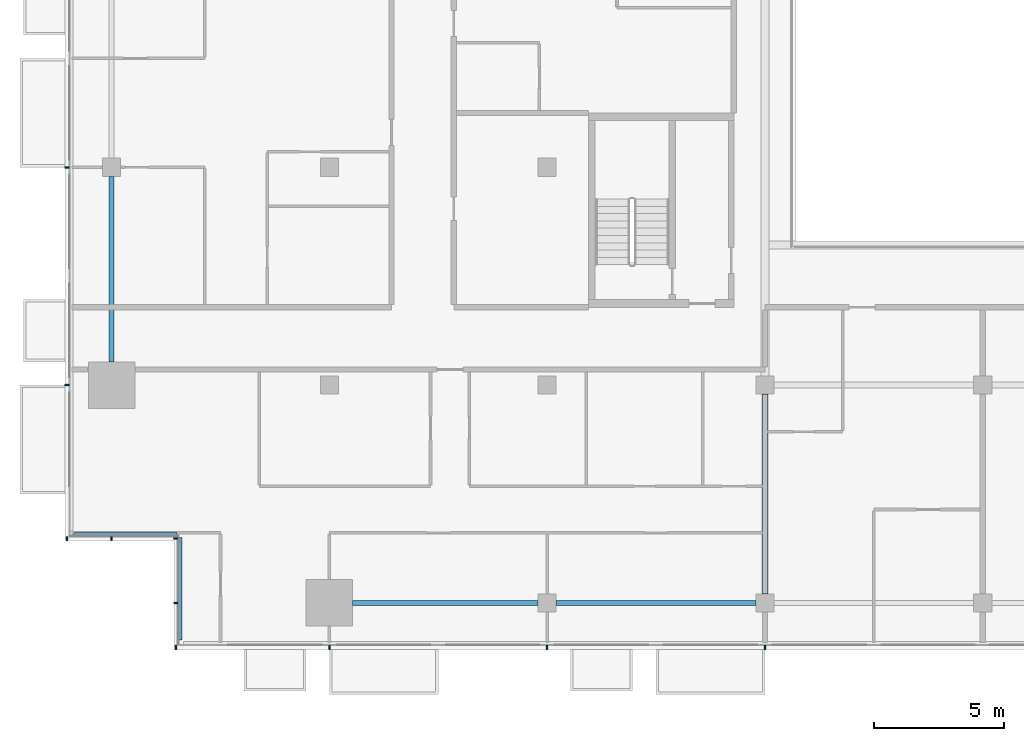
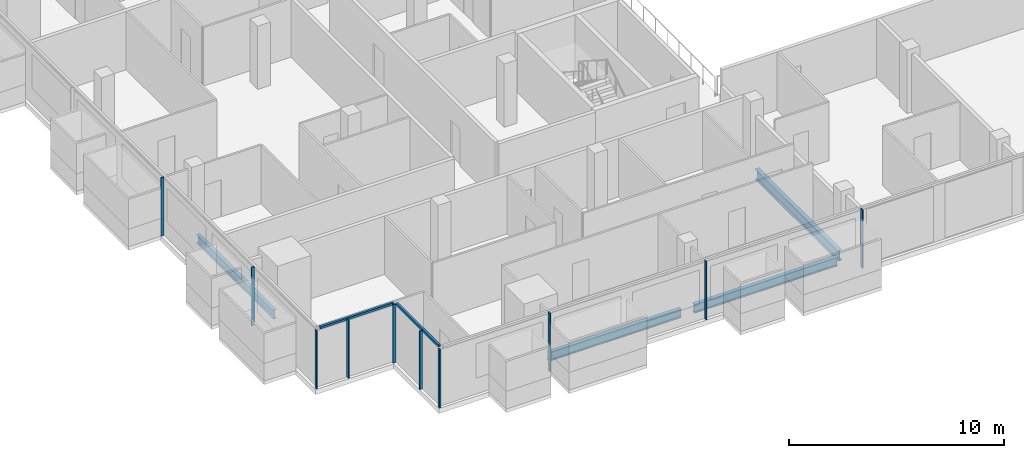
# One storey, part 2 of 28: 12 members, 4 beams, 4 elements without a shape of their own.
"""IFC4 building model written with IfcOpenShell, lengths in metres."""

from ifc_helpers import new_model, si_unit, direction, frame, origin, origin_2d, place, context, subcontext, project, spatial, rectangle, i_section, extrude, material, material_profile, profile_set, type_object, element, aggregate, save


model = new_model("IFC4")

# Units and contexts
model_context = context("Model", 3, precision=1e-05, world=origin(), true_north=direction((0.0, 1.0)))
body_context = subcontext(model_context, "Body", "Model", "MODEL_VIEW")
ifc_project = project(units=[si_unit("LENGTHUNIT", "METRE"), si_unit("AREAUNIT", "SQUARE_METRE"), si_unit("VOLUMEUNIT", "CUBIC_METRE"), si_unit("PLANEANGLEUNIT", "RADIAN"), si_unit("MASSUNIT", "GRAM", prefix="KILO")], contexts=[model_context])

# Site, building, storey
site_placement = place(None, origin())
site = spatial("IfcSite", under=ifc_project, at=site_placement, CompositionType="ELEMENT")
building_placement = place(site_placement, origin())
building = spatial("IfcBuilding", under=site, at=building_placement, Name="Saffron Gate Tower", CompositionType="ELEMENT")
storey_placement = place(building_placement, frame((0.0, 0.0, 154.64990234375)))
storey = spatial("IfcBuildingStorey", under=building, at=storey_placement, Name="L37", CompositionType="ELEMENT", Elevation=154.64990234375)

# Beams
ifc_material_1 = material(Name="Structural steel S355", Category="steel")
ifc_material_profile_1 = material_profile(ifc_material_1, i_section(OverallWidth=0.199951171875, OverallDepth=0.5, WebThickness=0.01025390625, FlangeThickness=0.01611328125, FilletRadius=0.02099609375, at=origin_2d()))
ifc_profile_set_1 = profile_set([ifc_material_profile_1], Name="Structural steel S355")
beam_type_1 = type_object("IfcBeamType", Name="B11 IPE 500", PredefinedType="SPANDREL", material=ifc_profile_set_1)
for number, where, z_axis, x_axis, name in (
    (1, (49.800048828125, 41.10009765625, -0.52978515625), (0.0, 1.0, 0.0), (-1.0, 0.0, 0.0), "B11 SPANDREL BEAM"),
    (2, (59.10009765625, 31.800048828125, -0.52978515625), (1.0, 0.0, 0.0), (0.0, 1.0, 0.0), "B11 SPANDREL BEAM"),
):
    element("IfcBeam", number, at=place(storey_placement, frame(where, z_axis=z_axis, x_axis=x_axis)), inside=storey, type_object=beam_type_1, Name=name, PredefinedType="SPANDREL", context=body_context, shape_type="SweptSolid", body=[
        extrude(i_section(OverallWidth=0.199951171875, OverallDepth=0.5, WebThickness=0.01025390625, FlangeThickness=0.01611328125, FilletRadius=0.02099609375, at=origin_2d()), origin(), (0.0, 0.0, 1.0), 7.14990234375),
    ])
beam_1_placement = place(storey_placement, frame((66.949951171875, 31.800048828125, -0.52978515625), z_axis=(1.0, 0.0, 0.0), x_axis=(0.0, 1.0, 0.0)))
element("IfcBeam", 3, at=beam_1_placement, inside=storey, type_object=beam_type_1, Name="B11 SPANDREL BEAM", PredefinedType="SPANDREL", context=body_context, shape_type="SweptSolid", body=[
    extrude(i_section(OverallWidth=0.199951171875, OverallDepth=0.5, WebThickness=0.01025390625, FlangeThickness=0.01611328125, FilletRadius=0.02099609375, at=origin_2d()), origin(), (0.0, 0.0, 1.0), 7.699951171875),
])
ifc_material_profile_2 = material_profile(ifc_material_1, i_section(OverallWidth=0.219970703125, OverallDepth=0.60009765625, WebThickness=0.011962890625, FlangeThickness=0.01904296875, FilletRadius=0.02392578125, at=origin_2d()))
ifc_profile_set_2 = profile_set([ifc_material_profile_2], Name="Structural steel S355")
beam_type_2 = type_object("IfcBeamType", Name="B15 IPE 600", PredefinedType="BEAM", material=ifc_profile_set_2)
beam_2_placement = place(storey_placement, frame((75.0, 32.14990234375, -0.579833984375), z_axis=(0.0, 1.0, 0.0), x_axis=(-1.0, 0.0, 0.0)))
element("IfcBeam", 4, at=beam_2_placement, inside=storey, type_object=beam_type_2, Name="B15 FLOOR GIRDER", PredefinedType="BEAM", context=body_context, shape_type="SweptSolid", body=[
    extrude(i_section(OverallWidth=0.219970703125, OverallDepth=0.60009765625, WebThickness=0.011962890625, FlangeThickness=0.01904296875, FilletRadius=0.02392578125, at=origin_2d()), origin(), (0.0, 0.0, 1.0), 7.7001953125),
])

# Curtain wall, members
ifc_material_2 = material(Name="Aluminium, bronze anodised", Category="aluminium")
curtain_wall_type_1 = type_object("IfcCurtainWallType", Name="CWS1 curtain wall front facade", PredefinedType="NOTDEFINED", material=ifc_material_2)
curtain_wall_1_placement = place(storey_placement, origin())
curtain_wall_1 = element("IfcCurtainWall", 5, at=curtain_wall_1_placement, inside=storey, type_object=curtain_wall_type_1, Name="CWS1 run 1", PredefinedType="NOTDEFINED")
ifc_material_profile_3 = material_profile(ifc_material_2, rectangle(XDim=0.159912109375, YDim=0.06005859375, at=origin_2d()))
ifc_profile_set_3 = profile_set([ifc_material_profile_3], Name="Aluminium, bronze anodised")
member_type_1 = type_object("IfcMemberType", Name="CWS1 mullion 60x160", PredefinedType="MULLION", material=ifc_profile_set_3)
member_1_placement = place(storey_placement, frame((52.280029296875, 30.080078125, 0.0), z_axis=(0.0, 0.0, 1.0), x_axis=(0.0, 1.0, 0.0)))
member_1 = element("IfcMember", 6, at=member_1_placement, type_object=member_type_1, Name="CWS1 mullion 1", PredefinedType="MULLION", context=body_context, shape_type="SweptSolid", body=[
    extrude(rectangle(XDim=0.159912109375, YDim=0.06005859375, at=origin_2d()), origin(), (0.0, 0.0, 1.0), 3.320068359375),
])
member_2_placement = place(storey_placement, frame((58.199951171875, 30.080078125, 0.0), z_axis=(0.0, 0.0, 1.0), x_axis=(0.0, 1.0, 0.0)))
member_2 = element("IfcMember", 7, at=member_2_placement, type_object=member_type_1, Name="CWS1 mullion 2", PredefinedType="MULLION", context=body_context, shape_type="SweptSolid", body=[
    extrude(rectangle(XDim=0.159912109375, YDim=0.06005859375, at=origin_2d()), origin(), (0.0, 0.0, 1.0), 3.320068359375),
])
member_3_placement = place(storey_placement, frame((66.60009765625, 30.080078125, 0.0), z_axis=(0.0, 0.0, 1.0), x_axis=(0.0, 1.0, 0.0)))
member_3 = element("IfcMember", 8, at=member_3_placement, type_object=member_type_1, Name="CWS1 mullion 3", PredefinedType="MULLION", context=body_context, shape_type="SweptSolid", body=[
    extrude(rectangle(XDim=0.159912109375, YDim=0.06005859375, at=origin_2d()), origin(), (0.0, 0.0, 1.0), 3.320068359375),
])
member_4_placement = place(storey_placement, frame((75.0, 30.080078125, 0.0), z_axis=(0.0, 0.0, 1.0), x_axis=(0.0, 1.0, 0.0)))
member_4 = element("IfcMember", 9, at=member_4_placement, type_object=member_type_1, Name="CWS1 mullion 4", PredefinedType="MULLION", context=body_context, shape_type="SweptSolid", body=[
    extrude(rectangle(XDim=0.159912109375, YDim=0.06005859375, at=origin_2d()), origin(), (0.0, 0.0, 1.0), 3.320068359375),
])
aggregate(curtain_wall_1, [member_1, member_2, member_3, member_4])

curtain_wall_type_2 = type_object("IfcCurtainWallType", Name="CWS2 curtain wall side facades", PredefinedType="NOTDEFINED", material=ifc_material_2)
curtain_wall_2_placement = place(storey_placement, origin())
curtain_wall_2 = element("IfcCurtainWall", 10, at=curtain_wall_2_placement, inside=storey, type_object=curtain_wall_type_2, Name="CWS2 run 10", PredefinedType="NOTDEFINED")
ifc_material_profile_4 = material_profile(ifc_material_2, rectangle(XDim=0.159912109375, YDim=0.06005859375, at=origin_2d()))
ifc_profile_set_4 = profile_set([ifc_material_profile_4], Name="Aluminium, bronze anodised")
member_type_2 = type_object("IfcMemberType", Name="CWS2 mullion 60x160", PredefinedType="MULLION", material=ifc_profile_set_4)
member_5_placement = place(storey_placement, frame((48.080078125, 48.60009765625, 0.0), z_axis=(0.0, 0.0, 1.0), x_axis=(1.0, 0.0, 0.0)))
member_5 = element("IfcMember", 11, at=member_5_placement, type_object=member_type_2, Name="CWS2 mullion 4", PredefinedType="MULLION", context=body_context, shape_type="SweptSolid", body=[
    extrude(rectangle(XDim=0.159912109375, YDim=0.06005859375, at=origin_2d()), origin(), (0.0, 0.0, 1.0), 3.320068359375),
])
member_6_placement = place(storey_placement, frame((48.080078125, 40.199951171875, 0.0), z_axis=(0.0, 0.0, 1.0), x_axis=(1.0, 0.0, 0.0)))
member_6 = element("IfcMember", 12, at=member_6_placement, type_object=member_type_2, Name="CWS2 mullion 5", PredefinedType="MULLION", context=body_context, shape_type="SweptSolid", body=[
    extrude(rectangle(XDim=0.159912109375, YDim=0.06005859375, at=origin_2d()), origin(), (0.0, 0.0, 1.0), 3.320068359375),
])
aggregate(curtain_wall_2, [member_5, member_6])

# Curtain wall, member
curtain_wall_type_3 = type_object("IfcCurtainWallType", Name="CWS4 curtain wall corner returns", PredefinedType="NOTDEFINED", material=ifc_material_2)
curtain_wall_3_placement = place(storey_placement, origin())
curtain_wall_3 = element("IfcCurtainWall", 13, at=curtain_wall_3_placement, inside=storey, type_object=curtain_wall_type_3, Name="CWS4 run 11", PredefinedType="NOTDEFINED")
ifc_material_profile_5 = material_profile(ifc_material_2, rectangle(XDim=0.1201171875, YDim=0.1201171875, at=origin_2d()))
ifc_profile_set_5 = profile_set([ifc_material_profile_5], Name="Aluminium, bronze anodised")
member_type_3 = type_object("IfcMemberType", Name="CWS4 head transom", PredefinedType="USERDEFINED", material=ifc_profile_set_5)
member_7_placement = place(storey_placement, frame((48.367919921875, 34.447998046875, 3.260009765625), z_axis=(1.0, 0.0, 0.0), x_axis=(0.0, 1.0, 0.0)))
member_7 = element("IfcMember", 14, at=member_7_placement, type_object=member_type_3, Name="CWS4 head transom", ObjectType="TRANSOM", PredefinedType="USERDEFINED", context=body_context, shape_type="SweptSolid", body=[
    extrude(rectangle(XDim=0.1201171875, YDim=0.1201171875, at=origin_2d()), origin(), (0.0, 0.0, 1.0), 3.9599609375),
])

curtain_wall_4_placement = place(storey_placement, origin())
curtain_wall_4 = element("IfcCurtainWall", 15, at=curtain_wall_4_placement, inside=storey, type_object=curtain_wall_type_3, Name="CWS4 run 12", PredefinedType="NOTDEFINED")
member_8_placement = place(storey_placement, frame((52.447998046875, 34.327880859375, 3.260009765625), z_axis=(0.0, -1.0, 0.0), x_axis=(1.0, 0.0, 0.0)))
member_8 = element("IfcMember", 16, at=member_8_placement, type_object=member_type_3, Name="CWS4 head transom", ObjectType="TRANSOM", PredefinedType="USERDEFINED", context=body_context, shape_type="SweptSolid", body=[
    extrude(rectangle(XDim=0.1201171875, YDim=0.1201171875, at=origin_2d()), origin(), (0.0, 0.0, 1.0), 3.9599609375),
])

# Member
ifc_material_profile_6 = material_profile(ifc_material_2, rectangle(XDim=0.159912109375, YDim=0.06005859375, at=origin_2d()))
ifc_profile_set_6 = profile_set([ifc_material_profile_6], Name="Aluminium, bronze anodised")
member_type_4 = type_object("IfcMemberType", Name="CWS4 mullion 60x160", PredefinedType="MULLION", material=ifc_profile_set_6)
member_9_placement = place(storey_placement, frame((48.080078125, 34.280029296875, 0.0), z_axis=(0.0, 0.0, 1.0), x_axis=(0.0, 1.0, 0.0)))
member_9 = element("IfcMember", 17, at=member_9_placement, type_object=member_type_4, Name="CWS4 mullion 1", PredefinedType="MULLION", context=body_context, shape_type="SweptSolid", body=[
    extrude(rectangle(XDim=0.159912109375, YDim=0.06005859375, at=origin_2d()), origin(), (0.0, 0.0, 1.0), 3.320068359375),
])

member_10_placement = place(storey_placement, frame((49.800048828125, 34.280029296875, 0.0), z_axis=(0.0, 0.0, 1.0), x_axis=(0.0, 1.0, 0.0)))
member_10 = element("IfcMember", 18, at=member_10_placement, type_object=member_type_4, Name="CWS4 mullion 2", PredefinedType="MULLION", context=body_context, shape_type="SweptSolid", body=[
    extrude(rectangle(XDim=0.159912109375, YDim=0.06005859375, at=origin_2d()), origin(), (0.0, 0.0, 1.0), 3.320068359375),
])

aggregate(curtain_wall_3, [member_9, member_10, member_7])

member_11_placement = place(storey_placement, frame((52.280029296875, 34.280029296875, 0.0), z_axis=(0.0, 0.0, 1.0), x_axis=(1.0, 0.0, 0.0)))
member_11 = element("IfcMember", 19, at=member_11_placement, type_object=member_type_4, Name="CWS4 mullion 1", PredefinedType="MULLION", context=body_context, shape_type="SweptSolid", body=[
    extrude(rectangle(XDim=0.159912109375, YDim=0.06005859375, at=origin_2d()), origin(), (0.0, 0.0, 1.0), 3.320068359375),
])

member_12_placement = place(storey_placement, frame((52.280029296875, 31.800048828125, 0.0), z_axis=(0.0, 0.0, 1.0), x_axis=(1.0, 0.0, 0.0)))
member_12 = element("IfcMember", 20, at=member_12_placement, type_object=member_type_4, Name="CWS4 mullion 2", PredefinedType="MULLION", context=body_context, shape_type="SweptSolid", body=[
    extrude(rectangle(XDim=0.159912109375, YDim=0.06005859375, at=origin_2d()), origin(), (0.0, 0.0, 1.0), 3.320068359375),
])

aggregate(curtain_wall_4, [member_11, member_12, member_8])

save(model, "model.ifc")
